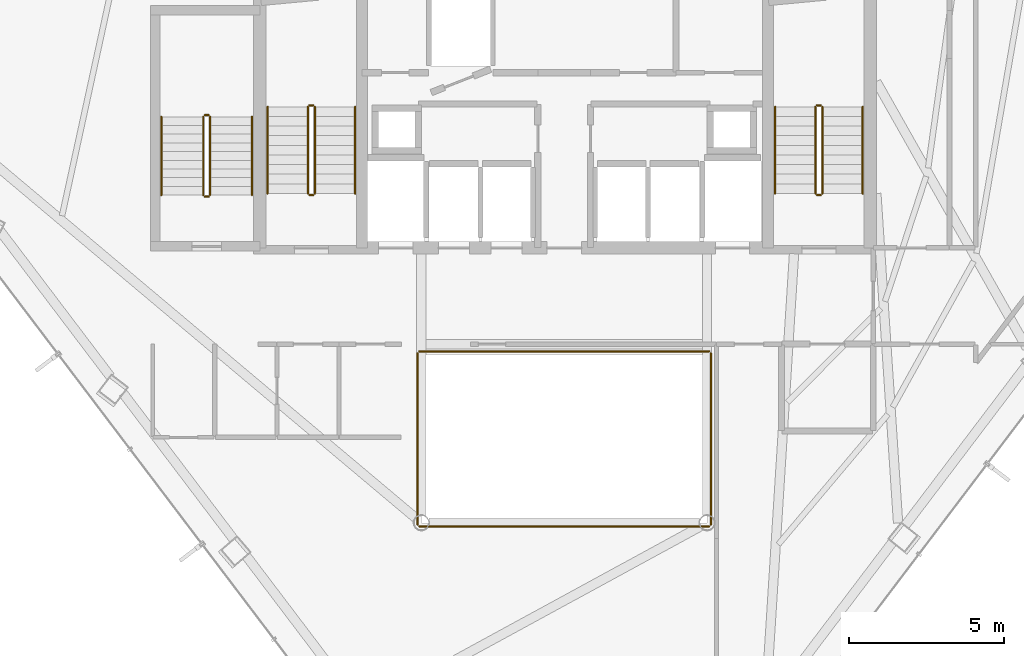
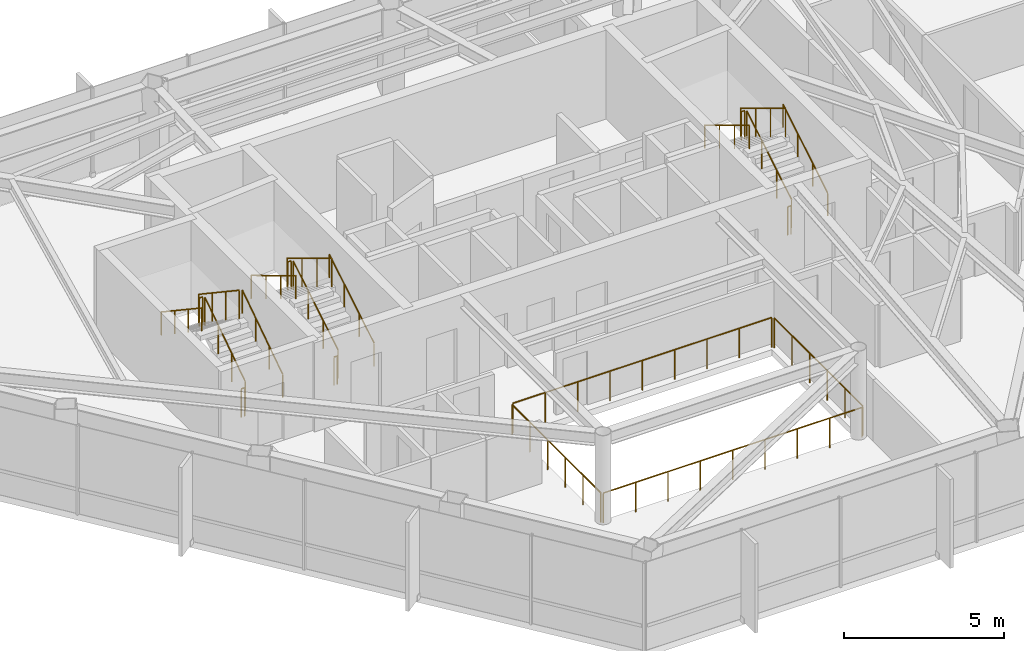
# One storey, part 28 of 28: 22 railings.
"""IFC4 building model written with IfcOpenShell, lengths in metres."""

from ifc_helpers import new_model, si_unit, direction, frame, origin, origin_2d, place, context, subcontext, project, spatial, circle, extrude, material, type_object, element, save


model = new_model("IFC4")

# Units and contexts
model_context = context("Model", 3, precision=1e-05, world=origin(), true_north=direction((0.0, 1.0)))
body_context = subcontext(model_context, "Body", "Model", "MODEL_VIEW")
ifc_project = project(units=[si_unit("LENGTHUNIT", "METRE"), si_unit("AREAUNIT", "SQUARE_METRE"), si_unit("VOLUMEUNIT", "CUBIC_METRE"), si_unit("PLANEANGLEUNIT", "RADIAN"), si_unit("MASSUNIT", "GRAM", prefix="KILO")], contexts=[model_context])

# Site, building, storey
site_placement = place(None, origin())
site = spatial("IfcSite", under=ifc_project, at=site_placement, CompositionType="ELEMENT")
building_placement = place(site_placement, origin())
building = spatial("IfcBuilding", under=site, at=building_placement, Name="Zarrinselat Tower", CompositionType="ELEMENT")
storey_placement = place(building_placement, frame((0.0, 0.0, 190.739990234375)))
storey = spatial("IfcBuildingStorey", under=building, at=storey_placement, Name="L47", CompositionType="ELEMENT", Elevation=190.739990234375)

# Railings
ifc_material_1 = material(Name="Double Low-E Laminated Solar Glass", Category="glass")
railing_type_1 = type_object("IfcRailingType", Name="RLG-ATRIUM-BAL", PredefinedType="BALUSTRADE", material=ifc_material_1)
railing_1_placement = place(storey_placement, frame((33.739990234375, 24.280029296875, 0.0)))
element("IfcRailing", 1, at=railing_1_placement, inside=storey, type_object=railing_type_1, Name="L47 Atrium Void Glass Balustrade S", PredefinedType="BALUSTRADE", context=body_context, shape_type="SweptSolid", body=[
    extrude(circle(Radius=0.02392578125, at=origin_2d()), frame((0.0, 0.0, 1.1259765625), z_axis=(1.0, 0.0, 0.0), x_axis=(0.0, 1.0, 0.0)), (0.0, 0.0, 1.0), 9.320068359375),
    extrude(circle(Radius=0.02099609375, at=origin_2d()), origin(), (0.0, 0.0, 1.0), 1.099853515625),
    extrude(circle(Radius=0.02099609375, at=origin_2d()), frame((1.1650390625, 0.0, 0.0)), (0.0, 0.0, 1.0), 1.099853515625),
    extrude(circle(Radius=0.02099609375, at=origin_2d()), frame((2.330078125, 0.0, 0.0)), (0.0, 0.0, 1.0), 1.099853515625),
    extrude(circle(Radius=0.02099609375, at=origin_2d()), frame((3.4951171875, 0.0, 0.0)), (0.0, 0.0, 1.0), 1.099853515625),
    extrude(circle(Radius=0.02099609375, at=origin_2d()), frame((4.66015625, 0.0, 0.0)), (0.0, 0.0, 1.0), 1.099853515625),
    extrude(circle(Radius=0.02099609375, at=origin_2d()), frame((5.824951171875, 0.0, 0.0)), (0.0, 0.0, 1.0), 1.099853515625),
    extrude(circle(Radius=0.02099609375, at=origin_2d()), frame((6.989990234375, 0.0, 0.0)), (0.0, 0.0, 1.0), 1.099853515625),
    extrude(circle(Radius=0.02099609375, at=origin_2d()), frame((8.155029296875, 0.0, 0.0)), (0.0, 0.0, 1.0), 1.099853515625),
    extrude(circle(Radius=0.02099609375, at=origin_2d()), frame((9.320068359375, 0.0, 0.0)), (0.0, 0.0, 1.0), 1.099853515625),
])
railing_2_placement = place(storey_placement, frame((43.1201171875, 24.340087890625, 0.0)))
element("IfcRailing", 2, at=railing_2_placement, inside=storey, type_object=railing_type_1, Name="L47 Atrium Void Glass Balustrade E", PredefinedType="BALUSTRADE", context=body_context, shape_type="SweptSolid", body=[
    extrude(circle(Radius=0.02392578125, at=origin_2d()), frame((0.0, 0.0, 1.1259765625), z_axis=(0.0, 1.0, 0.0), x_axis=(-1.0, 0.0, 0.0)), (0.0, 0.0, 1.0), 5.52001953125),
    extrude(circle(Radius=0.02099609375, at=origin_2d()), origin(), (0.0, 0.0, 1.0), 1.099853515625),
    extrude(circle(Radius=0.02099609375, at=origin_2d()), frame((0.0, 1.10400390625, 0.0)), (0.0, 0.0, 1.0), 1.099853515625),
    extrude(circle(Radius=0.02099609375, at=origin_2d()), frame((0.0, 2.2080078125, 0.0)), (0.0, 0.0, 1.0), 1.099853515625),
    extrude(circle(Radius=0.02099609375, at=origin_2d()), frame((0.0, 3.31201171875, 0.0)), (0.0, 0.0, 1.0), 1.099853515625),
    extrude(circle(Radius=0.02099609375, at=origin_2d()), frame((0.0, 4.416015625, 0.0)), (0.0, 0.0, 1.0), 1.099853515625),
    extrude(circle(Radius=0.02099609375, at=origin_2d()), frame((0.0, 5.52001953125, 0.0)), (0.0, 0.0, 1.0), 1.099853515625),
])
railing_3_placement = place(storey_placement, frame((43.06005859375, 29.919921875, 0.0)))
element("IfcRailing", 3, at=railing_3_placement, inside=storey, type_object=railing_type_1, Name="L47 Atrium Void Glass Balustrade N", PredefinedType="BALUSTRADE", context=body_context, shape_type="SweptSolid", body=[
    extrude(circle(Radius=0.02392578125, at=origin_2d()), frame((0.0, 0.0, 1.1259765625), z_axis=(-1.0, 0.0, 0.0), x_axis=(0.0, -1.0, 0.0)), (0.0, 0.0, 1.0), 9.320068359375),
    extrude(circle(Radius=0.02099609375, at=origin_2d()), origin(), (0.0, 0.0, 1.0), 1.099853515625),
    extrude(circle(Radius=0.02099609375, at=origin_2d()), frame((-1.1650390625, 0.0, 0.0)), (0.0, 0.0, 1.0), 1.099853515625),
    extrude(circle(Radius=0.02099609375, at=origin_2d()), frame((-2.330078125, 0.0, 0.0)), (0.0, 0.0, 1.0), 1.099853515625),
    extrude(circle(Radius=0.02099609375, at=origin_2d()), frame((-3.4951171875, 0.0, 0.0)), (0.0, 0.0, 1.0), 1.099853515625),
    extrude(circle(Radius=0.02099609375, at=origin_2d()), frame((-4.66015625, 0.0, 0.0)), (0.0, 0.0, 1.0), 1.099853515625),
    extrude(circle(Radius=0.02099609375, at=origin_2d()), frame((-5.824951171875, 0.0, 0.0)), (0.0, 0.0, 1.0), 1.099853515625),
    extrude(circle(Radius=0.02099609375, at=origin_2d()), frame((-6.989990234375, 0.0, 0.0)), (0.0, 0.0, 1.0), 1.099853515625),
    extrude(circle(Radius=0.02099609375, at=origin_2d()), frame((-8.155029296875, 0.0, 0.0)), (0.0, 0.0, 1.0), 1.099853515625),
    extrude(circle(Radius=0.02099609375, at=origin_2d()), frame((-9.320068359375, 0.0, 0.0)), (0.0, 0.0, 1.0), 1.099853515625),
])
railing_4_placement = place(storey_placement, frame((33.679931640625, 29.860107421875, 0.0)))
element("IfcRailing", 4, at=railing_4_placement, inside=storey, type_object=railing_type_1, Name="L47 Atrium Void Glass Balustrade W", PredefinedType="BALUSTRADE", context=body_context, shape_type="SweptSolid", body=[
    extrude(circle(Radius=0.02392578125, at=origin_2d()), frame((0.0, 0.0, 1.1259765625), z_axis=(0.0, -1.0, 0.0), x_axis=(1.0, 0.0, 0.0)), (0.0, 0.0, 1.0), 5.52001953125),
    extrude(circle(Radius=0.02099609375, at=origin_2d()), origin(), (0.0, 0.0, 1.0), 1.099853515625),
    extrude(circle(Radius=0.02099609375, at=origin_2d()), frame((0.0, -1.10400390625, 0.0)), (0.0, 0.0, 1.0), 1.099853515625),
    extrude(circle(Radius=0.02099609375, at=origin_2d()), frame((0.0, -2.2080078125, 0.0)), (0.0, 0.0, 1.0), 1.099853515625),
    extrude(circle(Radius=0.02099609375, at=origin_2d()), frame((0.0, -3.31201171875, 0.0)), (0.0, 0.0, 1.0), 1.099853515625),
    extrude(circle(Radius=0.02099609375, at=origin_2d()), frame((0.0, -4.416015625, 0.0)), (0.0, 0.0, 1.0), 1.099853515625),
    extrude(circle(Radius=0.02099609375, at=origin_2d()), frame((0.0, -5.52001953125, 0.0)), (0.0, 0.0, 1.0), 1.099853515625),
])
ifc_material_2 = material(Name="Steel S355J2", Category="steel")
railing_type_2 = type_object("IfcRailingType", Name="RLG-STAIR-GUARD", PredefinedType="GUARDRAIL", material=ifc_material_2)
railing_5_placement = place(storey_placement, frame((30.3701171875, 35.0, 0.18701171875)))
element("IfcRailing", 5, at=railing_5_placement, inside=storey, type_object=railing_type_2, Name="L47 ST-1 stair guard 1", PredefinedType="GUARDRAIL", context=body_context, shape_type="SweptSolid", body=[
    extrude(circle(Radius=0.02392578125, at=origin_2d()), frame((0.0, 0.0, 1.076171875), z_axis=(0.0, 0.856260799362, 0.516543747882), x_axis=(-1.0, 0.0, 0.0)), (0.0, 0.0, 1.0), 3.25830078125),
    extrude(circle(Radius=0.02099609375, at=origin_2d()), origin(), (0.0, 0.0, 1.0), 1.050048828125),
    extrude(circle(Radius=0.02099609375, at=origin_2d()), frame((0.0, 0.929931640625, 0.56103515625)), (0.0, 0.0, 1.0), 1.050048828125),
    extrude(circle(Radius=0.02099609375, at=origin_2d()), frame((0.0, 1.860107421875, 1.1220703125)), (0.0, 0.0, 1.0), 1.050048828125),
    extrude(circle(Radius=0.02099609375, at=origin_2d()), frame((0.0, 2.7900390625, 1.68310546875)), (0.0, 0.0, 1.0), 1.050048828125),
])
railing_6_placement = place(storey_placement, frame((30.320068359375, 37.840087890625, 1.8701171875)))
element("IfcRailing", 6, at=railing_6_placement, inside=storey, type_object=railing_type_2, Name="L47 ST-1 stair guard 2", PredefinedType="GUARDRAIL", context=body_context, shape_type="SweptSolid", body=[
    extrude(circle(Radius=0.02392578125, at=origin_2d()), frame((0.0, 0.0, 1.076171875), z_axis=(-1.0, 0.0, 0.0), x_axis=(0.0, -1.0, 0.0)), (0.0, 0.0, 1.0), 0.1201171875),
    extrude(circle(Radius=0.02099609375, at=origin_2d()), origin(), (0.0, 0.0, 1.0), 1.050048828125),
    extrude(circle(Radius=0.02099609375, at=origin_2d()), frame((-0.1201171875, 0.0, 0.0)), (0.0, 0.0, 1.0), 1.050048828125),
])
railing_7_placement = place(storey_placement, frame((30.14990234375, 37.7900390625, 2.05712890625)))
element("IfcRailing", 7, at=railing_7_placement, inside=storey, type_object=railing_type_2, Name="L47 ST-1 stair guard 3", PredefinedType="GUARDRAIL", context=body_context, shape_type="SweptSolid", body=[
    extrude(circle(Radius=0.02392578125, at=origin_2d()), frame((0.0, 0.0, 1.076171875), z_axis=(0.0, -0.856293938615, 0.516488809842), x_axis=(1.0, 0.0, 0.0)), (0.0, 0.0, 1.0), 3.25830078125),
    extrude(circle(Radius=0.02099609375, at=origin_2d()), origin(), (0.0, 0.0, 1.0), 1.050048828125),
    extrude(circle(Radius=0.02099609375, at=origin_2d()), frame((0.0, -0.929931640625, 0.56103515625)), (0.0, 0.0, 1.0), 1.050048828125),
    extrude(circle(Radius=0.02099609375, at=origin_2d()), frame((0.0, -1.860107421875, 1.121826171875)), (0.0, 0.0, 1.0), 1.050048828125),
    extrude(circle(Radius=0.02099609375, at=origin_2d()), frame((0.0, -2.7900390625, 1.682861328125)), (0.0, 0.0, 1.0), 1.050048828125),
])
railing_8_placement = place(storey_placement, frame((30.320068359375, 34.949951171875, 0.0)))
element("IfcRailing", 8, at=railing_8_placement, inside=storey, type_object=railing_type_2, Name="L47 ST-1 stair guard 4", PredefinedType="GUARDRAIL", context=body_context, shape_type="SweptSolid", body=[
    extrude(circle(Radius=0.02392578125, at=origin_2d()), frame((0.0, 0.0, 1.076171875), z_axis=(-1.0, 0.0, 0.0), x_axis=(0.0, -1.0, 0.0)), (0.0, 0.0, 1.0), 0.1201171875),
    extrude(circle(Radius=0.02099609375, at=origin_2d()), origin(), (0.0, 0.0, 1.0), 1.050048828125),
    extrude(circle(Radius=0.02099609375, at=origin_2d()), frame((-0.1201171875, 0.0, 0.0)), (0.0, 0.0, 1.0), 1.050048828125),
])
railing_9_placement = place(storey_placement, frame((46.7099609375, 35.0, 0.18701171875)))
element("IfcRailing", 9, at=railing_9_placement, inside=storey, type_object=railing_type_2, Name="L47 ST-2 stair guard 1", PredefinedType="GUARDRAIL", context=body_context, shape_type="SweptSolid", body=[
    extrude(circle(Radius=0.02392578125, at=origin_2d()), frame((0.0, 0.0, 1.076171875), z_axis=(0.0, 0.856260799362, 0.516543747882), x_axis=(-1.0, 0.0, 0.0)), (0.0, 0.0, 1.0), 3.25830078125),
    extrude(circle(Radius=0.02099609375, at=origin_2d()), origin(), (0.0, 0.0, 1.0), 1.050048828125),
    extrude(circle(Radius=0.02099609375, at=origin_2d()), frame((0.0, 0.929931640625, 0.56103515625)), (0.0, 0.0, 1.0), 1.050048828125),
    extrude(circle(Radius=0.02099609375, at=origin_2d()), frame((0.0, 1.860107421875, 1.1220703125)), (0.0, 0.0, 1.0), 1.050048828125),
    extrude(circle(Radius=0.02099609375, at=origin_2d()), frame((0.0, 2.7900390625, 1.68310546875)), (0.0, 0.0, 1.0), 1.050048828125),
])
railing_10_placement = place(storey_placement, frame((46.659912109375, 37.840087890625, 1.8701171875)))
element("IfcRailing", 10, at=railing_10_placement, inside=storey, type_object=railing_type_2, Name="L47 ST-2 stair guard 2", PredefinedType="GUARDRAIL", context=body_context, shape_type="SweptSolid", body=[
    extrude(circle(Radius=0.02392578125, at=origin_2d()), frame((0.0, 0.0, 1.076171875), z_axis=(-1.0, 0.0, 0.0), x_axis=(0.0, -1.0, 0.0)), (0.0, 0.0, 1.0), 0.119873046875),
    extrude(circle(Radius=0.02099609375, at=origin_2d()), origin(), (0.0, 0.0, 1.0), 1.050048828125),
    extrude(circle(Radius=0.02099609375, at=origin_2d()), frame((-0.119873046875, 0.0, 0.0)), (0.0, 0.0, 1.0), 1.050048828125),
])
railing_11_placement = place(storey_placement, frame((46.489990234375, 37.7900390625, 2.05712890625)))
element("IfcRailing", 11, at=railing_11_placement, inside=storey, type_object=railing_type_2, Name="L47 ST-2 stair guard 3", PredefinedType="GUARDRAIL", context=body_context, shape_type="SweptSolid", body=[
    extrude(circle(Radius=0.02392578125, at=origin_2d()), frame((0.0, 0.0, 1.076171875), z_axis=(0.0, -0.856293938615, 0.516488809842), x_axis=(1.0, 0.0, 0.0)), (0.0, 0.0, 1.0), 3.25830078125),
    extrude(circle(Radius=0.02099609375, at=origin_2d()), origin(), (0.0, 0.0, 1.0), 1.050048828125),
    extrude(circle(Radius=0.02099609375, at=origin_2d()), frame((0.0, -0.929931640625, 0.56103515625)), (0.0, 0.0, 1.0), 1.050048828125),
    extrude(circle(Radius=0.02099609375, at=origin_2d()), frame((0.0, -1.860107421875, 1.121826171875)), (0.0, 0.0, 1.0), 1.050048828125),
    extrude(circle(Radius=0.02099609375, at=origin_2d()), frame((0.0, -2.7900390625, 1.682861328125)), (0.0, 0.0, 1.0), 1.050048828125),
])
railing_12_placement = place(storey_placement, frame((46.659912109375, 34.949951171875, 0.0)))
element("IfcRailing", 12, at=railing_12_placement, inside=storey, type_object=railing_type_2, Name="L47 ST-2 stair guard 4", PredefinedType="GUARDRAIL", context=body_context, shape_type="SweptSolid", body=[
    extrude(circle(Radius=0.02392578125, at=origin_2d()), frame((0.0, 0.0, 1.076171875), z_axis=(-1.0, 0.0, 0.0), x_axis=(0.0, -1.0, 0.0)), (0.0, 0.0, 1.0), 0.119873046875),
    extrude(circle(Radius=0.02099609375, at=origin_2d()), origin(), (0.0, 0.0, 1.0), 1.050048828125),
    extrude(circle(Radius=0.02099609375, at=origin_2d()), frame((-0.119873046875, 0.0, 0.0)), (0.0, 0.0, 1.0), 1.050048828125),
])
railing_13_placement = place(storey_placement, frame((27.0, 34.949951171875, 0.18701171875)))
element("IfcRailing", 13, at=railing_13_placement, inside=storey, type_object=railing_type_2, Name="L47 ST-3 stair guard 1", PredefinedType="GUARDRAIL", context=body_context, shape_type="SweptSolid", body=[
    extrude(circle(Radius=0.02392578125, at=origin_2d()), frame((0.0, 0.0, 1.076171875), z_axis=(0.0, 0.831579006341, 0.555406478368), x_axis=(-1.0, 0.0, 0.0)), (0.0, 0.0, 1.0), 3.030517578125),
    extrude(circle(Radius=0.02099609375, at=origin_2d()), origin(), (0.0, 0.0, 1.0), 1.050048828125),
    extrude(circle(Radius=0.02099609375, at=origin_2d()), frame((0.0, 0.840087890625, 0.56103515625)), (0.0, 0.0, 1.0), 1.050048828125),
    extrude(circle(Radius=0.02099609375, at=origin_2d()), frame((0.0, 1.679931640625, 1.1220703125)), (0.0, 0.0, 1.0), 1.050048828125),
    extrude(circle(Radius=0.02099609375, at=origin_2d()), frame((0.0, 2.52001953125, 1.68310546875)), (0.0, 0.0, 1.0), 1.050048828125),
])
railing_14_placement = place(storey_placement, frame((26.949951171875, 37.52001953125, 1.8701171875)))
element("IfcRailing", 14, at=railing_14_placement, inside=storey, type_object=railing_type_2, Name="L47 ST-3 stair guard 2", PredefinedType="GUARDRAIL", context=body_context, shape_type="SweptSolid", body=[
    extrude(circle(Radius=0.02392578125, at=origin_2d()), frame((0.0, 0.0, 1.076171875), z_axis=(-1.0, 0.0, 0.0), x_axis=(0.0, -1.0, 0.0)), (0.0, 0.0, 1.0), 0.119873046875),
    extrude(circle(Radius=0.02099609375, at=origin_2d()), origin(), (0.0, 0.0, 1.0), 1.050048828125),
    extrude(circle(Radius=0.02099609375, at=origin_2d()), frame((-0.119873046875, 0.0, 0.0)), (0.0, 0.0, 1.0), 1.050048828125),
])
railing_15_placement = place(storey_placement, frame((26.780029296875, 37.469970703125, 2.05712890625)))
element("IfcRailing", 15, at=railing_15_placement, inside=storey, type_object=railing_type_2, Name="L47 ST-3 stair guard 3", PredefinedType="GUARDRAIL", context=body_context, shape_type="SweptSolid", body=[
    extrude(circle(Radius=0.02392578125, at=origin_2d()), frame((0.0, 0.0, 1.076171875), z_axis=(0.0, -0.831616215664, 0.555350762892), x_axis=(1.0, 0.0, 0.0)), (0.0, 0.0, 1.0), 3.0302734375),
    extrude(circle(Radius=0.02099609375, at=origin_2d()), origin(), (0.0, 0.0, 1.0), 1.050048828125),
    extrude(circle(Radius=0.02099609375, at=origin_2d()), frame((0.0, -0.840087890625, 0.56103515625)), (0.0, 0.0, 1.0), 1.050048828125),
    extrude(circle(Radius=0.02099609375, at=origin_2d()), frame((0.0, -1.679931640625, 1.121826171875)), (0.0, 0.0, 1.0), 1.050048828125),
    extrude(circle(Radius=0.02099609375, at=origin_2d()), frame((0.0, -2.52001953125, 1.682861328125)), (0.0, 0.0, 1.0), 1.050048828125),
])
railing_16_placement = place(storey_placement, frame((26.949951171875, 34.89990234375, 0.0)))
element("IfcRailing", 16, at=railing_16_placement, inside=storey, type_object=railing_type_2, Name="L47 ST-3 stair guard 4", PredefinedType="GUARDRAIL", context=body_context, shape_type="SweptSolid", body=[
    extrude(circle(Radius=0.02392578125, at=origin_2d()), frame((0.0, 0.0, 1.076171875), z_axis=(-1.0, 0.0, 0.0), x_axis=(0.0, -1.0, 0.0)), (0.0, 0.0, 1.0), 0.119873046875),
    extrude(circle(Radius=0.02099609375, at=origin_2d()), origin(), (0.0, 0.0, 1.0), 1.050048828125),
    extrude(circle(Radius=0.02099609375, at=origin_2d()), frame((-0.119873046875, 0.0, 0.0)), (0.0, 0.0, 1.0), 1.050048828125),
])
ifc_material_3 = material(Name="Steel S355J2", Category="steel")
railing_type_3 = type_object("IfcRailingType", Name="RLG-STAIR-HAND", PredefinedType="HANDRAIL", material=ifc_material_3)
railing_17_placement = place(storey_placement, frame((31.669921875, 35.0, 0.18701171875)))
element("IfcRailing", 17, at=railing_17_placement, inside=storey, type_object=railing_type_3, Name="L47 ST-1 stair handrail 1", PredefinedType="HANDRAIL", context=body_context, shape_type="SweptSolid", body=[
    extrude(circle(Radius=0.02392578125, at=origin_2d()), frame((0.0, 0.0, 0.8759765625), z_axis=(0.0, 0.856260799362, 0.516543747882), x_axis=(-1.0, 0.0, 0.0)), (0.0, 0.0, 1.0), 3.25830078125),
    extrude(circle(Radius=0.02099609375, at=origin_2d()), origin(), (0.0, 0.0, 1.0), 0.849853515625),
    extrude(circle(Radius=0.02099609375, at=origin_2d()), frame((0.0, 0.929931640625, 0.56103515625)), (0.0, 0.0, 1.0), 0.849853515625),
    extrude(circle(Radius=0.02099609375, at=origin_2d()), frame((0.0, 1.860107421875, 1.1220703125)), (0.0, 0.0, 1.0), 0.849853515625),
    extrude(circle(Radius=0.02099609375, at=origin_2d()), frame((0.0, 2.7900390625, 1.68310546875)), (0.0, 0.0, 1.0), 0.849853515625),
])
railing_18_placement = place(storey_placement, frame((28.85009765625, 37.7900390625, 2.05712890625)))
element("IfcRailing", 18, at=railing_18_placement, inside=storey, type_object=railing_type_3, Name="L47 ST-1 stair handrail 2", PredefinedType="HANDRAIL", context=body_context, shape_type="SweptSolid", body=[
    extrude(circle(Radius=0.02392578125, at=origin_2d()), frame((0.0, 0.0, 0.8759765625), z_axis=(0.0, -0.856293938615, 0.516488809842), x_axis=(1.0, 0.0, 0.0)), (0.0, 0.0, 1.0), 3.25830078125),
    extrude(circle(Radius=0.02099609375, at=origin_2d()), origin(), (0.0, 0.0, 1.0), 0.849853515625),
    extrude(circle(Radius=0.02099609375, at=origin_2d()), frame((0.0, -0.929931640625, 0.56103515625)), (0.0, 0.0, 1.0), 0.849853515625),
    extrude(circle(Radius=0.02099609375, at=origin_2d()), frame((0.0, -1.860107421875, 1.121826171875)), (0.0, 0.0, 1.0), 0.849853515625),
    extrude(circle(Radius=0.02099609375, at=origin_2d()), frame((0.0, -2.7900390625, 1.682861328125)), (0.0, 0.0, 1.0), 0.849853515625),
])
railing_19_placement = place(storey_placement, frame((48.010009765625, 35.0, 0.18701171875)))
element("IfcRailing", 19, at=railing_19_placement, inside=storey, type_object=railing_type_3, Name="L47 ST-2 stair handrail 1", PredefinedType="HANDRAIL", context=body_context, shape_type="SweptSolid", body=[
    extrude(circle(Radius=0.02392578125, at=origin_2d()), frame((0.0, 0.0, 0.8759765625), z_axis=(0.0, 0.856260799362, 0.516543747882), x_axis=(-1.0, 0.0, 0.0)), (0.0, 0.0, 1.0), 3.25830078125),
    extrude(circle(Radius=0.02099609375, at=origin_2d()), origin(), (0.0, 0.0, 1.0), 0.849853515625),
    extrude(circle(Radius=0.02099609375, at=origin_2d()), frame((0.0, 0.929931640625, 0.56103515625)), (0.0, 0.0, 1.0), 0.849853515625),
    extrude(circle(Radius=0.02099609375, at=origin_2d()), frame((0.0, 1.860107421875, 1.1220703125)), (0.0, 0.0, 1.0), 0.849853515625),
    extrude(circle(Radius=0.02099609375, at=origin_2d()), frame((0.0, 2.7900390625, 1.68310546875)), (0.0, 0.0, 1.0), 0.849853515625),
])
railing_20_placement = place(storey_placement, frame((45.18994140625, 37.7900390625, 2.05712890625)))
element("IfcRailing", 20, at=railing_20_placement, inside=storey, type_object=railing_type_3, Name="L47 ST-2 stair handrail 2", PredefinedType="HANDRAIL", context=body_context, shape_type="SweptSolid", body=[
    extrude(circle(Radius=0.02392578125, at=origin_2d()), frame((0.0, 0.0, 0.8759765625), z_axis=(0.0, -0.856293938615, 0.516488809842), x_axis=(1.0, 0.0, 0.0)), (0.0, 0.0, 1.0), 3.25830078125),
    extrude(circle(Radius=0.02099609375, at=origin_2d()), origin(), (0.0, 0.0, 1.0), 0.849853515625),
    extrude(circle(Radius=0.02099609375, at=origin_2d()), frame((0.0, -0.929931640625, 0.56103515625)), (0.0, 0.0, 1.0), 0.849853515625),
    extrude(circle(Radius=0.02099609375, at=origin_2d()), frame((0.0, -1.860107421875, 1.121826171875)), (0.0, 0.0, 1.0), 0.849853515625),
    extrude(circle(Radius=0.02099609375, at=origin_2d()), frame((0.0, -2.7900390625, 1.682861328125)), (0.0, 0.0, 1.0), 0.849853515625),
])
railing_21_placement = place(storey_placement, frame((28.35009765625, 34.949951171875, 0.18701171875)))
element("IfcRailing", 21, at=railing_21_placement, inside=storey, type_object=railing_type_3, Name="L47 ST-3 stair handrail 1", PredefinedType="HANDRAIL", context=body_context, shape_type="SweptSolid", body=[
    extrude(circle(Radius=0.02392578125, at=origin_2d()), frame((0.0, 0.0, 0.8759765625), z_axis=(0.0, 0.831579006341, 0.555406478368), x_axis=(-1.0, 0.0, 0.0)), (0.0, 0.0, 1.0), 3.030517578125),
    extrude(circle(Radius=0.02099609375, at=origin_2d()), origin(), (0.0, 0.0, 1.0), 0.849853515625),
    extrude(circle(Radius=0.02099609375, at=origin_2d()), frame((0.0, 0.840087890625, 0.56103515625)), (0.0, 0.0, 1.0), 0.849853515625),
    extrude(circle(Radius=0.02099609375, at=origin_2d()), frame((0.0, 1.679931640625, 1.1220703125)), (0.0, 0.0, 1.0), 0.849853515625),
    extrude(circle(Radius=0.02099609375, at=origin_2d()), frame((0.0, 2.52001953125, 1.68310546875)), (0.0, 0.0, 1.0), 0.849853515625),
])
railing_22_placement = place(storey_placement, frame((25.429931640625, 37.469970703125, 2.05712890625)))
element("IfcRailing", 22, at=railing_22_placement, inside=storey, type_object=railing_type_3, Name="L47 ST-3 stair handrail 2", PredefinedType="HANDRAIL", context=body_context, shape_type="SweptSolid", body=[
    extrude(circle(Radius=0.02392578125, at=origin_2d()), frame((0.0, 0.0, 0.8759765625), z_axis=(0.0, -0.831616215664, 0.555350762892), x_axis=(1.0, 0.0, 0.0)), (0.0, 0.0, 1.0), 3.0302734375),
    extrude(circle(Radius=0.02099609375, at=origin_2d()), origin(), (0.0, 0.0, 1.0), 0.849853515625),
    extrude(circle(Radius=0.02099609375, at=origin_2d()), frame((0.0, -0.840087890625, 0.56103515625)), (0.0, 0.0, 1.0), 0.849853515625),
    extrude(circle(Radius=0.02099609375, at=origin_2d()), frame((0.0, -1.679931640625, 1.121826171875)), (0.0, 0.0, 1.0), 0.849853515625),
    extrude(circle(Radius=0.02099609375, at=origin_2d()), frame((0.0, -2.52001953125, 1.682861328125)), (0.0, 0.0, 1.0), 0.849853515625),
])

save(model, "model.ifc")
